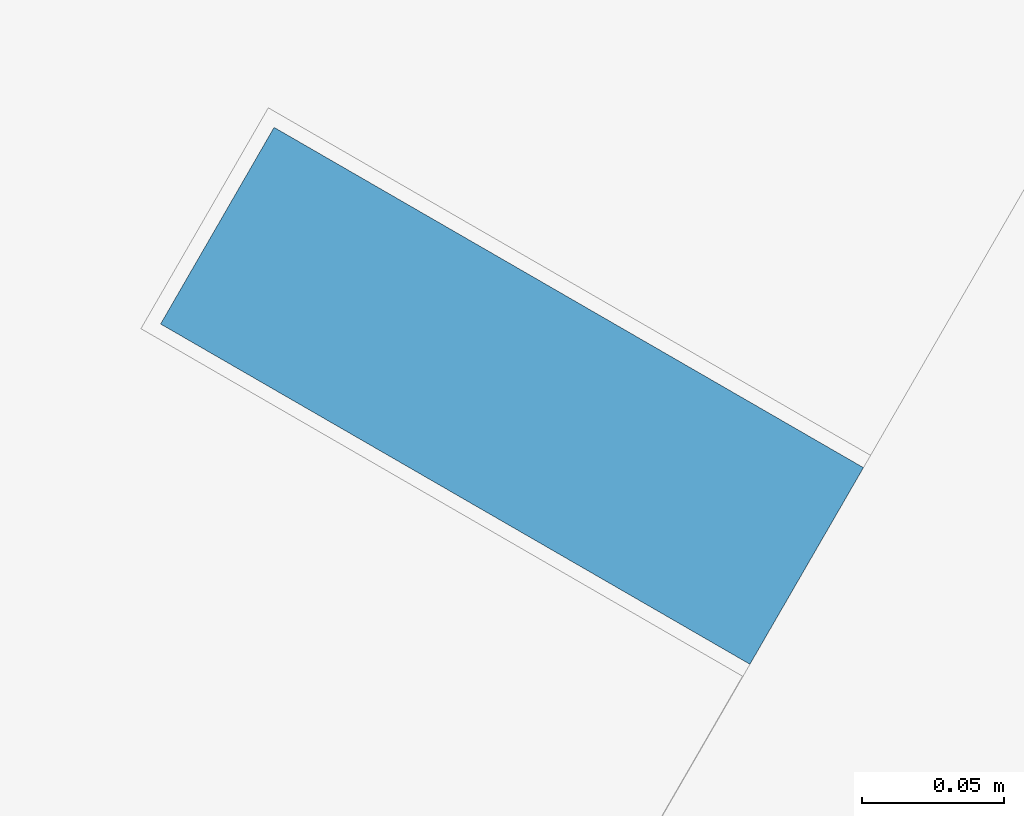
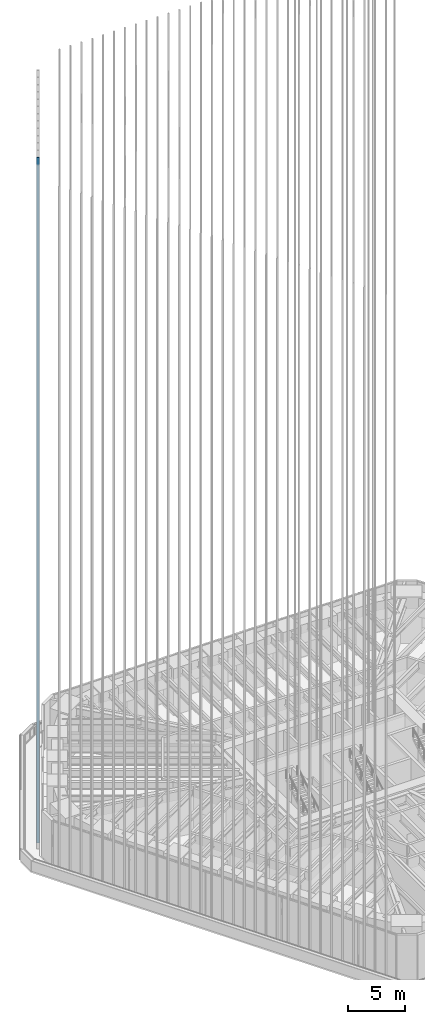
# One storey, part 133 of 228: 1 member, 1 element without a shape of its own.
"""IFC4 building model written with IfcOpenShell, lengths in metres."""

from ifc_helpers import new_model, si_unit, direction, frame, origin, origin_2d, place, context, subcontext, project, spatial, rectangle, extrude, material, material_profile, profile_set, type_object, element, aggregate, save


model = new_model("IFC4")

# Units and contexts
model_context = context("Model", 3, precision=1e-05, world=origin(), true_north=direction((0.0, 1.0)))
body_context = subcontext(model_context, "Body", "Model", "MODEL_VIEW")
ifc_project = project(units=[si_unit("LENGTHUNIT", "METRE"), si_unit("AREAUNIT", "SQUARE_METRE"), si_unit("VOLUMEUNIT", "CUBIC_METRE"), si_unit("PLANEANGLEUNIT", "RADIAN"), si_unit("MASSUNIT", "GRAM", prefix="KILO")], contexts=[model_context])

# Site, building, storey
site_placement = place(None, origin())
site = spatial("IfcSite", under=ifc_project, at=site_placement, CompositionType="ELEMENT")
building_placement = place(site_placement, origin())
building = spatial("IfcBuilding", under=site, at=building_placement, Name="Sandreach Pilgrim Tower", CompositionType="ELEMENT")
storey_placement = place(building_placement, frame((0.0, 0.0, 178.199951171875)))
storey = spatial("IfcBuildingStorey", under=building, at=storey_placement, Name="L44", CompositionType="ELEMENT", Elevation=178.199951171875)

# Curtain wall, member
ifc_material_1 = material(Name="Aluminium framed curtain wall", Category="aluminium")
curtain_wall_type = type_object("IfcCurtainWallType", Name="Upper hotel tower curtain wall", PredefinedType="NOTDEFINED", material=ifc_material_1)
curtain_wall_placement = place(storey_placement, origin())
curtain_wall = element("IfcCurtainWall", 1, at=curtain_wall_placement, inside=storey, type_object=curtain_wall_type, Name="CW-3 L44 NW", PredefinedType="NOTDEFINED")
ifc_material_2 = material(Name="Extruded terracotta on aluminium core", Category="masonry")
ifc_material_profile = material_profile(ifc_material_2, rectangle(XDim=0.080078125, YDim=0.239990234375, at=origin_2d()), Name="TBW 80X240")
ifc_profile_set = profile_set([ifc_material_profile], Name="Extruded terracotta on aluminium core")
member_type = type_object("IfcMemberType", Name="Terracotta baguette west", PredefinedType="USERDEFINED", material=ifc_profile_set)
member_placement = place(storey_placement, frame((-26.39306640625, 8.176025390625, 0.0), z_axis=(0.0, 0.0, 1.0), x_axis=(0.5, 0.866025403784, 0.0)))
member = element("IfcMember", 2, at=member_placement, type_object=member_type, Name="Baguette Z3 NW02", ObjectType="BAGUETTE", PredefinedType="USERDEFINED", context=body_context, shape_type="SweptSolid", body=[
    extrude(rectangle(XDim=0.080078125, YDim=0.239990234375, at=origin_2d()), origin(), (0.0, 0.0, 1.0), 73.239990234375),
])
aggregate(curtain_wall, [member])

save(model, "model.ifc")
